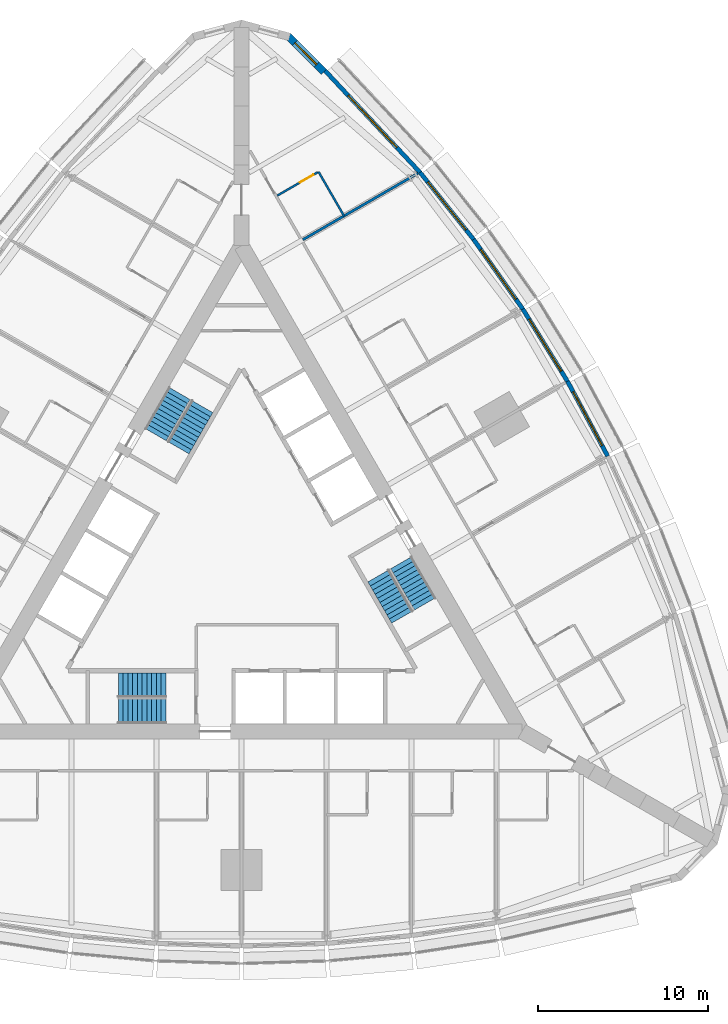
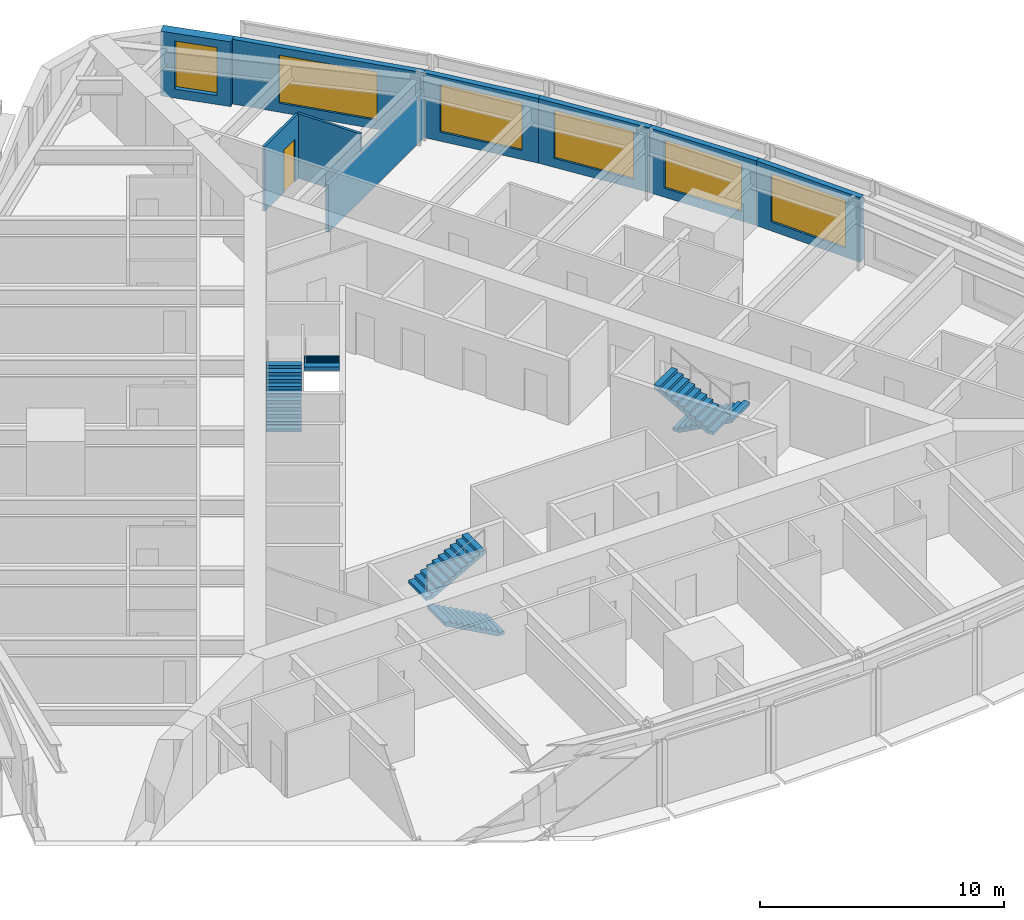
# One storey, part 13 of 14: 9 walls, 6 stair flights, 6 windows, 1 door, 7 openings, 3 elements without a shape of their own.
"""IFC4 building model written with IfcOpenShell, lengths in metres."""

from ifc_helpers import new_model, si_unit, direction, frame, frame_2d, origin, place, context, subcontext, project, spatial, polyline, rectangle, outline, extrude, material, layer, layer_set, type_object, element, fill, aggregate, save


model = new_model("IFC4")

# Units and contexts
model_context = context("Model", 3, precision=1e-05, world=origin(), true_north=direction((0.0, 1.0)))
body_context = subcontext(model_context, "Body", "Model", "MODEL_VIEW")
ifc_project = project(units=[si_unit("LENGTHUNIT", "METRE"), si_unit("AREAUNIT", "SQUARE_METRE"), si_unit("VOLUMEUNIT", "CUBIC_METRE"), si_unit("PLANEANGLEUNIT", "RADIAN"), si_unit("MASSUNIT", "GRAM", prefix="KILO")], contexts=[model_context])

# Site, building, storey
site_placement = place(None, origin())
site = spatial("IfcSite", under=ifc_project, at=site_placement, CompositionType="ELEMENT")
building_placement = place(site_placement, origin())
building = spatial("IfcBuilding", under=site, at=building_placement, Name="Trikona Tower", CompositionType="ELEMENT")
storey_placement = place(building_placement, frame((0.0, 0.0, 79.5)))
storey = spatial("IfcBuildingStorey", under=building, at=storey_placement, Name="L20", CompositionType="ELEMENT", Elevation=79.5)

# Wall
ifc_material_1 = material(Name="Metal stud and cement board", Category="gypsum")
ifc_layer_1 = layer(ifc_material_1, 0.1201171875)
ifc_layer_set_1 = layer_set([ifc_layer_1], Name="Bathroom wall 120")
wall_type_1 = type_object("IfcWallType", Name="Bathroom wall 120", PredefinedType="PLUMBINGWALL", material=ifc_layer_set_1)
wall_1_placement = place(storey_placement, frame((6.03271484375, 20.803466796875, 0.0), z_axis=(0.0, 0.0, 1.0), x_axis=(-0.499990139034, 0.866031096941, 0.0)))
element("IfcWall", 1, at=wall_1_placement, inside=storey, type_object=wall_type_1, Name="Bathroom wall 2012", PredefinedType="PLUMBINGWALL", context=body_context, shape_type="SweptSolid", body=[
    extrude(rectangle(XDim=3.0, YDim=0.1201171875, at=frame_2d((1.5, 0.0))), origin(), (0.0, 0.0, 1.0), 3.235107421875),
])

# Wall, opening, door
wall_2_placement = place(storey_placement, frame((2.10791015625, 22.001708984375, 0.0), z_axis=(0.0, 0.0, 1.0), x_axis=(0.866035715982, 0.499982138324, 0.0)))
wall_2 = element("IfcWall", 2, at=wall_2_placement, inside=storey, type_object=wall_type_1, Name="Bathroom wall 2012", PredefinedType="PLUMBINGWALL", context=body_context, shape_type="SweptSolid", body=[
    extrude(rectangle(XDim=2.73974609375, YDim=0.1201171875, at=frame_2d((1.369873046875, 0.0))), origin(), (0.0, 0.0, 1.0), 3.235107421875),
])
opening_1_placement = place(wall_2_placement, frame((1.550048828125, 0.0, 0.0)))
opening_1 = element("IfcOpeningElement", 3, at=opening_1_placement, cuts=wall_2, Name="Opening D2", PredefinedType="OPENING", context=body_context, shape_type="SweptSolid", body=[
    extrude(rectangle(XDim=0.89990234375, YDim=2.1298828125, at=frame_2d((0.449951171875, 1.06494140625))), frame((0.0, 0.070068359375, 0.0), z_axis=(0.0, -1.0, 0.0), x_axis=(1.0, 0.0, 0.0)), (0.0, 0.0, 1.0), 0.14013671875),
])
ifc_material_2 = material(Name="Steel door frame with solid-core timber leaf", Category="steel")
door_type = type_object("IfcDoorType", Name="Bathroom door 900x2130", OperationType="SLIDING_TO_LEFT", PredefinedType="DOOR", material=ifc_material_2)
door_placement = place(opening_1_placement, origin())
door = element("IfcDoor", 4, at=door_placement, inside=storey, type_object=door_type, Name="Bathroom door 2012", OperationType="SLIDING_TO_LEFT", OverallHeight=2.1298828125, OverallWidth=0.89990234375, PredefinedType="DOOR", context=body_context, shape_type="SweptSolid", body=[
    extrude(rectangle(XDim=0.89990234375, YDim=2.1298828125, at=frame_2d((0.449951171875, 1.06494140625))), frame((0.0, 0.02490234375, 0.0), z_axis=(0.0, -1.0, 0.0), x_axis=(1.0, 0.0, 0.0)), (0.0, 0.0, 1.0), 0.050048828125),
])
fill(opening_1, door)

# Wall, opening, window
ifc_material_3 = material(Name="Brick-faced precast concrete", Category="masonry")
ifc_layer_2 = layer(ifc_material_3, 0.449951171875)
ifc_layer_set_2 = layer_set([ifc_layer_2], Name="Brick-faced corner wall 450")
wall_type_2 = type_object("IfcWallType", Name="Brick-faced corner wall 450", PredefinedType="SOLIDWALL", material=ifc_layer_set_2)
wall_3_placement = place(storey_placement, frame((4.8408203125, 29.285888671875, 0.0), z_axis=(0.0, 0.0, 1.0), x_axis=(-0.707106781187, 0.707106781187, 0.0)))
wall_3 = element("IfcWall", 5, at=wall_3_placement, inside=storey, type_object=wall_type_2, Name="External wall L20-20", PredefinedType="SOLIDWALL", context=body_context, shape_type="SweptSolid", body=[
    extrude(rectangle(XDim=2.98828125, YDim=0.449951171875, at=frame_2d((1.494140625, 0.0))), origin(), (0.0, 0.0, 1.0), 3.235107421875),
])
opening_2_placement = place(wall_3_placement, frame((0.59423828125, 0.0, 0.449951171875)))
opening_2 = element("IfcOpeningElement", 6, at=opening_2_placement, cuts=wall_3, Name="Opening W1824", PredefinedType="OPENING", context=body_context, shape_type="SweptSolid", body=[
    extrude(rectangle(XDim=1.800048828125, YDim=2.39990234375, at=frame_2d((0.89990234375, 1.199951171875))), frame((0.0, 0.23486328125, 0.0), z_axis=(0.0, -1.0, 0.0), x_axis=(1.0, 0.0, 0.0)), (0.0, 0.0, 1.0), 0.469970703125),
])
ifc_material_4 = material(Name="Aluminium-framed double glazing", Category="aluminium")
window_type_1 = type_object("IfcWindowType", Name="Window 1800x2400", PartitioningType="SINGLE_PANEL", PredefinedType="WINDOW", material=ifc_material_4)
window_1_placement = place(opening_2_placement, origin())
window_1 = element("IfcWindow", 7, at=window_1_placement, inside=storey, type_object=window_type_1, Name="Window 2012", OverallHeight=2.39990234375, OverallWidth=1.800048828125, PartitioningType="SINGLE_PANEL", PredefinedType="WINDOW", context=body_context, shape_type="SweptSolid", body=[
    extrude(rectangle(XDim=1.800048828125, YDim=2.39990234375, at=frame_2d((0.89990234375, 1.199951171875))), frame((0.0, 0.030029296875, 0.0), z_axis=(0.0, -1.0, 0.0), x_axis=(1.0, 0.0, 0.0)), (0.0, 0.0, 1.0), 0.06005859375),
])
fill(opening_2, window_1)

ifc_material_5 = material(Name="Insulated precast concrete spandrel panel", Category="concrete")
ifc_layer_3 = layer(ifc_material_5, 0.25)
ifc_layer_set_3 = layer_set([ifc_layer_3], Name="Inner skin wall 250")
wall_type_3 = type_object("IfcWallType", Name="Inner skin wall 250", PredefinedType="STANDARD", material=ifc_layer_set_3)
wall_4_placement = place(storey_placement, frame((21.546630859375, 6.6708984375, 0.0), z_axis=(0.0, 0.0, 1.0), x_axis=(-0.473412820489, 0.880840678782, 0.0)))
wall_4 = element("IfcWall", 8, at=wall_4_placement, inside=storey, type_object=wall_type_3, Name="External wall L20-15", PredefinedType="STANDARD", context=body_context, shape_type="SweptSolid", body=[
    extrude(rectangle(XDim=5.00244140625, YDim=0.25, at=frame_2d((2.501220703125, 0.0))), origin(), (0.0, 0.0, 1.0), 3.235107421875),
])
opening_3_placement = place(wall_4_placement, frame((0.701171875, 0.0, 0.449951171875)))
opening_3 = element("IfcOpeningElement", 9, at=opening_3_placement, cuts=wall_4, Name="Opening W3624", PredefinedType="OPENING", context=body_context, shape_type="SweptSolid", body=[
    extrude(rectangle(XDim=3.60009765625, YDim=2.39990234375, at=frame_2d((1.800048828125, 1.199951171875))), frame((0.0, 0.135009765625, 0.0), z_axis=(0.0, -1.0, 0.0), x_axis=(1.0, 0.0, 0.0)), (0.0, 0.0, 1.0), 0.27001953125),
])
ifc_material_6 = material(Name="Aluminium-framed double glazing", Category="aluminium")
window_type_2 = type_object("IfcWindowType", Name="Window 3600x2400", PartitioningType="SINGLE_PANEL", PredefinedType="WINDOW", material=ifc_material_6)
window_2_placement = place(opening_3_placement, origin())
window_2 = element("IfcWindow", 10, at=window_2_placement, inside=storey, type_object=window_type_2, Name="Window 2009.1", OverallHeight=2.39990234375, OverallWidth=3.60009765625, PartitioningType="SINGLE_PANEL", PredefinedType="WINDOW", context=body_context, shape_type="SweptSolid", body=[
    extrude(rectangle(XDim=3.60009765625, YDim=2.39990234375, at=frame_2d((1.800048828125, 1.199951171875))), frame((0.0, 0.030029296875, 0.0), z_axis=(0.0, -1.0, 0.0), x_axis=(1.0, 0.0, 0.0)), (0.0, 0.0, 1.0), 0.06005859375),
])
fill(opening_3, window_2)

wall_5_placement = place(storey_placement, frame((19.182373046875, 11.070556640625, 0.0), z_axis=(0.0, 0.0, 1.0), x_axis=(-0.526132807704, 0.850402415717, 0.0)))
wall_5 = element("IfcWall", 11, at=wall_5_placement, inside=storey, type_object=wall_type_3, Name="External wall L20-16", PredefinedType="STANDARD", context=body_context, shape_type="SweptSolid", body=[
    extrude(rectangle(XDim=5.002197265625, YDim=0.25, at=frame_2d((2.5009765625, 0.0))), origin(), (0.0, 0.0, 1.0), 3.235107421875),
])
opening_4_placement = place(wall_5_placement, frame((0.701171875, 0.0, 0.449951171875)))
opening_4 = element("IfcOpeningElement", 12, at=opening_4_placement, cuts=wall_5, Name="Opening W3624", PredefinedType="OPENING", context=body_context, shape_type="SweptSolid", body=[
    extrude(rectangle(XDim=3.60009765625, YDim=2.39990234375, at=frame_2d((1.800048828125, 1.199951171875))), frame((0.0, 0.135009765625, 0.0), z_axis=(0.0, -1.0, 0.0), x_axis=(1.0, 0.0, 0.0)), (0.0, 0.0, 1.0), 0.27001953125),
])
window_3_placement = place(opening_4_placement, origin())
window_3 = element("IfcWindow", 13, at=window_3_placement, inside=storey, type_object=window_type_2, Name="Window 2010", OverallHeight=2.39990234375, OverallWidth=3.60009765625, PartitioningType="SINGLE_PANEL", PredefinedType="WINDOW", context=body_context, shape_type="SweptSolid", body=[
    extrude(rectangle(XDim=3.60009765625, YDim=2.39990234375, at=frame_2d((1.800048828125, 1.199951171875))), frame((0.0, 0.030029296875, 0.0), z_axis=(0.0, -1.0, 0.0), x_axis=(1.0, 0.0, 0.0)), (0.0, 0.0, 1.0), 0.06005859375),
])
fill(opening_4, window_3)

wall_6_placement = place(storey_placement, frame((16.5546875, 15.318115234375, 0.0), z_axis=(0.0, 0.0, 1.0), x_axis=(-0.5766431066, 0.81699616132, 0.0)))
wall_6 = element("IfcWall", 14, at=wall_6_placement, inside=storey, type_object=wall_type_3, Name="External wall L20-17", PredefinedType="STANDARD", context=body_context, shape_type="SweptSolid", body=[
    extrude(rectangle(XDim=5.02099609375, YDim=0.25, at=frame_2d((2.510498046875, 0.0))), origin(), (0.0, 0.0, 1.0), 3.235107421875),
])
opening_5_placement = place(wall_6_placement, frame((0.71044921875, 0.0, 0.449951171875)))
opening_5 = element("IfcOpeningElement", 15, at=opening_5_placement, cuts=wall_6, Name="Opening W3624", PredefinedType="OPENING", context=body_context, shape_type="SweptSolid", body=[
    extrude(rectangle(XDim=3.60009765625, YDim=2.39990234375, at=frame_2d((1.800048828125, 1.199951171875))), frame((0.0, 0.135009765625, 0.0), z_axis=(0.0, -1.0, 0.0), x_axis=(1.0, 0.0, 0.0)), (0.0, 0.0, 1.0), 0.27001953125),
])
window_4_placement = place(opening_5_placement, origin())
window_4 = element("IfcWindow", 16, at=window_4_placement, inside=storey, type_object=window_type_2, Name="Window 2011", OverallHeight=2.39990234375, OverallWidth=3.60009765625, PartitioningType="SINGLE_PANEL", PredefinedType="WINDOW", context=body_context, shape_type="SweptSolid", body=[
    extrude(rectangle(XDim=3.60009765625, YDim=2.39990234375, at=frame_2d((1.800048828125, 1.199951171875))), frame((0.0, 0.030029296875, 0.0), z_axis=(0.0, -1.0, 0.0), x_axis=(1.0, 0.0, 0.0)), (0.0, 0.0, 1.0), 0.06005859375),
])
fill(opening_5, window_4)

wall_7_placement = place(storey_placement, frame((13.663818359375, 19.4140625, 0.0), z_axis=(0.0, 0.0, 1.0), x_axis=(-0.624594965756, 0.780948864364, 0.0)))
wall_7 = element("IfcWall", 17, at=wall_7_placement, inside=storey, type_object=wall_type_3, Name="External wall L20-18", PredefinedType="STANDARD", context=body_context, shape_type="SweptSolid", body=[
    extrude(rectangle(XDim=5.0576171875, YDim=0.25, at=frame_2d((2.52880859375, 0.0))), origin(), (0.0, 0.0, 1.0), 3.235107421875),
])
opening_6_placement = place(wall_7_placement, frame((0.728759765625, 0.0, 0.449951171875)))
opening_6 = element("IfcOpeningElement", 18, at=opening_6_placement, cuts=wall_7, Name="Opening W3624", PredefinedType="OPENING", context=body_context, shape_type="SweptSolid", body=[
    extrude(rectangle(XDim=3.60009765625, YDim=2.39990234375, at=frame_2d((1.800048828125, 1.199951171875))), frame((0.0, 0.135009765625, 0.0), z_axis=(0.0, -1.0, 0.0), x_axis=(1.0, 0.0, 0.0)), (0.0, 0.0, 1.0), 0.27001953125),
])
window_5_placement = place(opening_6_placement, origin())
window_5 = element("IfcWindow", 19, at=window_5_placement, inside=storey, type_object=window_type_2, Name="Window 2011", OverallHeight=2.39990234375, OverallWidth=3.60009765625, PartitioningType="SINGLE_PANEL", PredefinedType="WINDOW", context=body_context, shape_type="SweptSolid", body=[
    extrude(rectangle(XDim=3.60009765625, YDim=2.39990234375, at=frame_2d((1.800048828125, 1.199951171875))), frame((0.0, 0.030029296875, 0.0), z_axis=(0.0, -1.0, 0.0), x_axis=(1.0, 0.0, 0.0)), (0.0, 0.0, 1.0), 0.06005859375),
])
fill(opening_6, window_5)

wall_8_placement = place(storey_placement, frame((10.510986328125, 23.356689453125, 0.0), z_axis=(0.0, 0.0, 1.0), x_axis=(-0.682289646561, 0.731081964075, 0.0)))
wall_8 = element("IfcWall", 20, at=wall_8_placement, inside=storey, type_object=wall_type_3, Name="External wall L20-19", PredefinedType="STANDARD", context=body_context, shape_type="SweptSolid", body=[
    extrude(rectangle(XDim=8.2109375, YDim=0.25, at=frame_2d((4.10546875, 0.0))), origin(), (0.0, 0.0, 1.0), 3.235107421875),
])
opening_7_placement = place(wall_8_placement, frame((2.005615234375, 0.0, 0.449951171875)))
opening_7 = element("IfcOpeningElement", 21, at=opening_7_placement, cuts=wall_8, Name="Opening W4224", PredefinedType="OPENING", context=body_context, shape_type="SweptSolid", body=[
    extrude(rectangle(XDim=4.199951171875, YDim=2.39990234375, at=frame_2d((2.10009765625, 1.199951171875))), frame((0.0, 0.135009765625, 0.0), z_axis=(0.0, -1.0, 0.0), x_axis=(1.0, 0.0, 0.0)), (0.0, 0.0, 1.0), 0.27001953125),
])
ifc_material_7 = material(Name="Aluminium-framed double glazing", Category="aluminium")
window_type_3 = type_object("IfcWindowType", Name="Window 4200x2400", PartitioningType="SINGLE_PANEL", PredefinedType="WINDOW", material=ifc_material_7)
window_6_placement = place(opening_7_placement, origin())
window_6 = element("IfcWindow", 22, at=window_6_placement, inside=storey, type_object=window_type_3, Name="Window 2012", OverallHeight=2.39990234375, OverallWidth=4.199951171875, PartitioningType="SINGLE_PANEL", PredefinedType="WINDOW", context=body_context, shape_type="SweptSolid", body=[
    extrude(rectangle(XDim=4.199951171875, YDim=2.39990234375, at=frame_2d((2.10009765625, 1.199951171875))), frame((0.0, 0.030029296875, 0.0), z_axis=(0.0, -1.0, 0.0), x_axis=(1.0, 0.0, 0.0)), (0.0, 0.0, 1.0), 0.06005859375),
])
fill(opening_7, window_6)

# Wall
ifc_material_8 = material(Name="Metal stud and gypsum board, 1-hour acoustic", Category="gypsum")
ifc_layer_4 = layer(ifc_material_8, 0.14990234375)
ifc_layer_set_4 = layer_set([ifc_layer_4], Name="Party wall 150")
wall_type_4 = type_object("IfcWallType", Name="Party wall 150", PredefinedType="PARTITIONING", material=ifc_layer_set_4)
wall_9_placement = place(storey_placement, frame((3.60791015625, 19.403564453125, 0.0), z_axis=(0.0, 0.0, 1.0), x_axis=(0.866021300503, 0.500007107024, 0.0)))
element("IfcWall", 23, at=wall_9_placement, inside=storey, type_object=wall_type_4, Name="Partition L20 F2 u15", PredefinedType="PARTITIONING", context=body_context, shape_type="SweptSolid", body=[
    extrude(rectangle(XDim=7.8203125, YDim=0.14990234375, at=frame_2d((3.91015625, 0.0))), origin(), (0.0, 0.0, 1.0), 2.38916015625),
])

# Stair, stair flights
ifc_material_9 = material(Name="Concrete f'c 5000 psi", Category="concrete")
stair_type = type_object("IfcStairType", Name="Core stair", PredefinedType="HALF_TURN_STAIR", material=ifc_material_9)
stair_1_placement = place(storey_placement, origin())
stair_1 = element("IfcStair", 24, at=stair_1_placement, inside=storey, type_object=stair_type, Name="Stair A L20", PredefinedType="HALF_TURN_STAIR")
ifc_material_10 = material(Name="Concrete f'c 5000 psi", Category="concrete")
stair_flight_type = type_object("IfcStairFlightType", Name="Core stair flight 1450", PredefinedType="STRAIGHT", material=ifc_material_10)
stair_flight_1_placement = place(storey_placement, frame((-4.449951171875, -8.351318359375, 0.0), z_axis=(0.0, 0.0, 1.0), x_axis=(-1.0, 0.0, 0.0)))
stair_flight_1 = element("IfcStairFlight", 25, at=stair_flight_1_placement, type_object=stair_flight_type, Name="ST-A flight 1", NumberOfRisers=11, NumberOfTreads=10, PredefinedType="STRAIGHT", RiserHeight=0.154545, TreadLength=0.28, context=body_context, shape_type="SweptSolid", body=[
    extrude(outline(polyline([(0.0, 0.0), (0.0, 0.154541015625), (0.280029296875, 0.154541015625), (0.280029296875, 0.30908203125), (0.56005859375, 0.30908203125), (0.56005859375, 0.463623046875), (0.840087890625, 0.463623046875), (0.840087890625, 0.6181640625), (1.1201171875, 0.6181640625), (1.1201171875, 0.772705078125), (1.39990234375, 0.772705078125), (1.39990234375, 0.92724609375), (1.679931640625, 0.92724609375), (1.679931640625, 1.081787109375), (1.9599609375, 1.081787109375), (1.9599609375, 1.236328125), (2.239990234375, 1.236328125), (2.239990234375, 1.390869140625), (2.52001953125, 1.390869140625), (2.52001953125, 1.54541015625), (2.800048828125, 1.54541015625), (2.800048828125, 1.699951171875), (2.800048828125, 1.374267578125), (0.310302734375, 0.0), (0.0, 0.0)])), frame((0.0, 0.72509765625, 0.0), z_axis=(0.0, -1.0, 0.0), x_axis=(1.0, 0.0, 0.0)), (0.0, 0.0, 1.0), 1.449951171875),
])
stair_flight_2_placement = place(storey_placement, frame((-7.25, -6.80126953125, 1.699951171875), z_axis=(0.0, 0.0, 1.0), x_axis=(1.0, 0.0, 0.0)))
stair_flight_2 = element("IfcStairFlight", 26, at=stair_flight_2_placement, type_object=stair_flight_type, Name="ST-A flight 2", NumberOfRisers=11, NumberOfTreads=10, PredefinedType="STRAIGHT", RiserHeight=0.154545, TreadLength=0.28, context=body_context, shape_type="SweptSolid", body=[
    extrude(outline(polyline([(0.0, 0.0), (0.0, 0.154541015625), (0.280029296875, 0.154541015625), (0.280029296875, 0.30908203125), (0.56005859375, 0.30908203125), (0.56005859375, 0.463623046875), (0.840087890625, 0.463623046875), (0.840087890625, 0.6181640625), (1.1201171875, 0.6181640625), (1.1201171875, 0.772705078125), (1.39990234375, 0.772705078125), (1.39990234375, 0.92724609375), (1.679931640625, 0.92724609375), (1.679931640625, 1.081787109375), (1.9599609375, 1.081787109375), (1.9599609375, 1.236328125), (2.239990234375, 1.236328125), (2.239990234375, 1.390869140625), (2.52001953125, 1.390869140625), (2.52001953125, 1.54541015625), (2.800048828125, 1.54541015625), (2.800048828125, 1.699951171875), (2.800048828125, 1.374267578125), (0.310302734375, 0.0), (0.0, 0.0)])), frame((0.0, 0.72509765625, 0.0), z_axis=(0.0, -1.0, 0.0), x_axis=(1.0, 0.0, 0.0)), (0.0, 0.0, 1.0), 1.449951171875),
])
aggregate(stair_1, [stair_flight_1, stair_flight_2])

stair_2_placement = place(storey_placement, origin())
stair_2 = element("IfcStair", 27, at=stair_2_placement, inside=storey, type_object=stair_type, Name="Stair B L20", PredefinedType="HALF_TURN_STAIR")
stair_flight_3_placement = place(storey_placement, frame((9.407470703125, 0.408447265625, 0.0), z_axis=(0.0, 0.0, 1.0), x_axis=(0.5, -0.866025403784, 0.0)))
stair_flight_3 = element("IfcStairFlight", 28, at=stair_flight_3_placement, type_object=stair_flight_type, Name="ST-B flight 1", NumberOfRisers=11, NumberOfTreads=10, PredefinedType="STRAIGHT", RiserHeight=0.154545, TreadLength=0.28, context=body_context, shape_type="SweptSolid", body=[
    extrude(outline(polyline([(0.0, 0.0), (0.0, 0.154541015625), (0.280029296875, 0.154541015625), (0.280029296875, 0.30908203125), (0.56005859375, 0.30908203125), (0.56005859375, 0.463623046875), (0.840087890625, 0.463623046875), (0.840087890625, 0.6181640625), (1.1201171875, 0.6181640625), (1.1201171875, 0.772705078125), (1.39990234375, 0.772705078125), (1.39990234375, 0.92724609375), (1.679931640625, 0.92724609375), (1.679931640625, 1.081787109375), (1.9599609375, 1.081787109375), (1.9599609375, 1.236328125), (2.239990234375, 1.236328125), (2.239990234375, 1.390869140625), (2.52001953125, 1.390869140625), (2.52001953125, 1.54541015625), (2.800048828125, 1.54541015625), (2.800048828125, 1.699951171875), (2.800048828125, 1.374267578125), (0.310302734375, 0.0), (0.0, 0.0)])), frame((0.0, 0.72509765625, 0.0), z_axis=(0.0, -1.0, 0.0), x_axis=(1.0, 0.0, 0.0)), (0.0, 0.0, 1.0), 1.449951171875),
])
stair_flight_4_placement = place(storey_placement, frame((9.465087890625, -2.79150390625, 1.699951171875), z_axis=(0.0, 0.0, 1.0), x_axis=(-0.5, 0.866025403784, 0.0)))
stair_flight_4 = element("IfcStairFlight", 29, at=stair_flight_4_placement, type_object=stair_flight_type, Name="ST-B flight 2", NumberOfRisers=11, NumberOfTreads=10, PredefinedType="STRAIGHT", RiserHeight=0.154545, TreadLength=0.28, context=body_context, shape_type="SweptSolid", body=[
    extrude(outline(polyline([(0.0, 0.0), (0.0, 0.154541015625), (0.280029296875, 0.154541015625), (0.280029296875, 0.30908203125), (0.56005859375, 0.30908203125), (0.56005859375, 0.463623046875), (0.840087890625, 0.463623046875), (0.840087890625, 0.6181640625), (1.1201171875, 0.6181640625), (1.1201171875, 0.772705078125), (1.39990234375, 0.772705078125), (1.39990234375, 0.92724609375), (1.679931640625, 0.92724609375), (1.679931640625, 1.081787109375), (1.9599609375, 1.081787109375), (1.9599609375, 1.236328125), (2.239990234375, 1.236328125), (2.239990234375, 1.390869140625), (2.52001953125, 1.390869140625), (2.52001953125, 1.54541015625), (2.800048828125, 1.54541015625), (2.800048828125, 1.699951171875), (2.800048828125, 1.374267578125), (0.310302734375, 0.0), (0.0, 0.0)])), frame((0.0, 0.72509765625, 0.0), z_axis=(0.0, -1.0, 0.0), x_axis=(1.0, 0.0, 0.0)), (0.0, 0.0, 1.0), 1.449951171875),
])
aggregate(stair_2, [stair_flight_3, stair_flight_4])

stair_3_placement = place(storey_placement, origin())
stair_3 = element("IfcStair", 30, at=stair_3_placement, inside=storey, type_object=stair_type, Name="Stair C L20", PredefinedType="HALF_TURN_STAIR")
stair_flight_5_placement = place(storey_placement, frame((-5.057373046875, 7.94287109375, 0.0), z_axis=(0.0, 0.0, 1.0), x_axis=(0.5, 0.866025403784, 0.0)))
stair_flight_5 = element("IfcStairFlight", 31, at=stair_flight_5_placement, type_object=stair_flight_type, Name="ST-C flight 1", NumberOfRisers=11, NumberOfTreads=10, PredefinedType="STRAIGHT", RiserHeight=0.154545, TreadLength=0.28, context=body_context, shape_type="SweptSolid", body=[
    extrude(outline(polyline([(0.0, 0.0), (0.0, 0.154541015625), (0.280029296875, 0.154541015625), (0.280029296875, 0.30908203125), (0.56005859375, 0.30908203125), (0.56005859375, 0.463623046875), (0.840087890625, 0.463623046875), (0.840087890625, 0.6181640625), (1.1201171875, 0.6181640625), (1.1201171875, 0.772705078125), (1.39990234375, 0.772705078125), (1.39990234375, 0.92724609375), (1.679931640625, 0.92724609375), (1.679931640625, 1.081787109375), (1.9599609375, 1.081787109375), (1.9599609375, 1.236328125), (2.239990234375, 1.236328125), (2.239990234375, 1.390869140625), (2.52001953125, 1.390869140625), (2.52001953125, 1.54541015625), (2.800048828125, 1.54541015625), (2.800048828125, 1.699951171875), (2.800048828125, 1.374267578125), (0.310302734375, 0.0), (0.0, 0.0)])), frame((0.0, 0.72509765625, 0.0), z_axis=(0.0, -1.0, 0.0), x_axis=(1.0, 0.0, 0.0)), (0.0, 0.0, 1.0), 1.449951171875),
])
stair_flight_6_placement = place(storey_placement, frame((-2.315185546875, 9.5927734375, 1.699951171875), z_axis=(0.0, 0.0, 1.0), x_axis=(-0.5, -0.866025403784, 0.0)))
stair_flight_6 = element("IfcStairFlight", 32, at=stair_flight_6_placement, type_object=stair_flight_type, Name="ST-C flight 2", NumberOfRisers=11, NumberOfTreads=10, PredefinedType="STRAIGHT", RiserHeight=0.154545, TreadLength=0.28, context=body_context, shape_type="SweptSolid", body=[
    extrude(outline(polyline([(0.0, 0.0), (0.0, 0.154541015625), (0.280029296875, 0.154541015625), (0.280029296875, 0.30908203125), (0.56005859375, 0.30908203125), (0.56005859375, 0.463623046875), (0.840087890625, 0.463623046875), (0.840087890625, 0.6181640625), (1.1201171875, 0.6181640625), (1.1201171875, 0.772705078125), (1.39990234375, 0.772705078125), (1.39990234375, 0.92724609375), (1.679931640625, 0.92724609375), (1.679931640625, 1.081787109375), (1.9599609375, 1.081787109375), (1.9599609375, 1.236328125), (2.239990234375, 1.236328125), (2.239990234375, 1.390869140625), (2.52001953125, 1.390869140625), (2.52001953125, 1.54541015625), (2.800048828125, 1.54541015625), (2.800048828125, 1.699951171875), (2.800048828125, 1.374267578125), (0.310302734375, 0.0), (0.0, 0.0)])), frame((0.0, 0.72509765625, 0.0), z_axis=(0.0, -1.0, 0.0), x_axis=(1.0, 0.0, 0.0)), (0.0, 0.0, 1.0), 1.449951171875),
])
aggregate(stair_3, [stair_flight_5, stair_flight_6])

save(model, "model.ifc")
